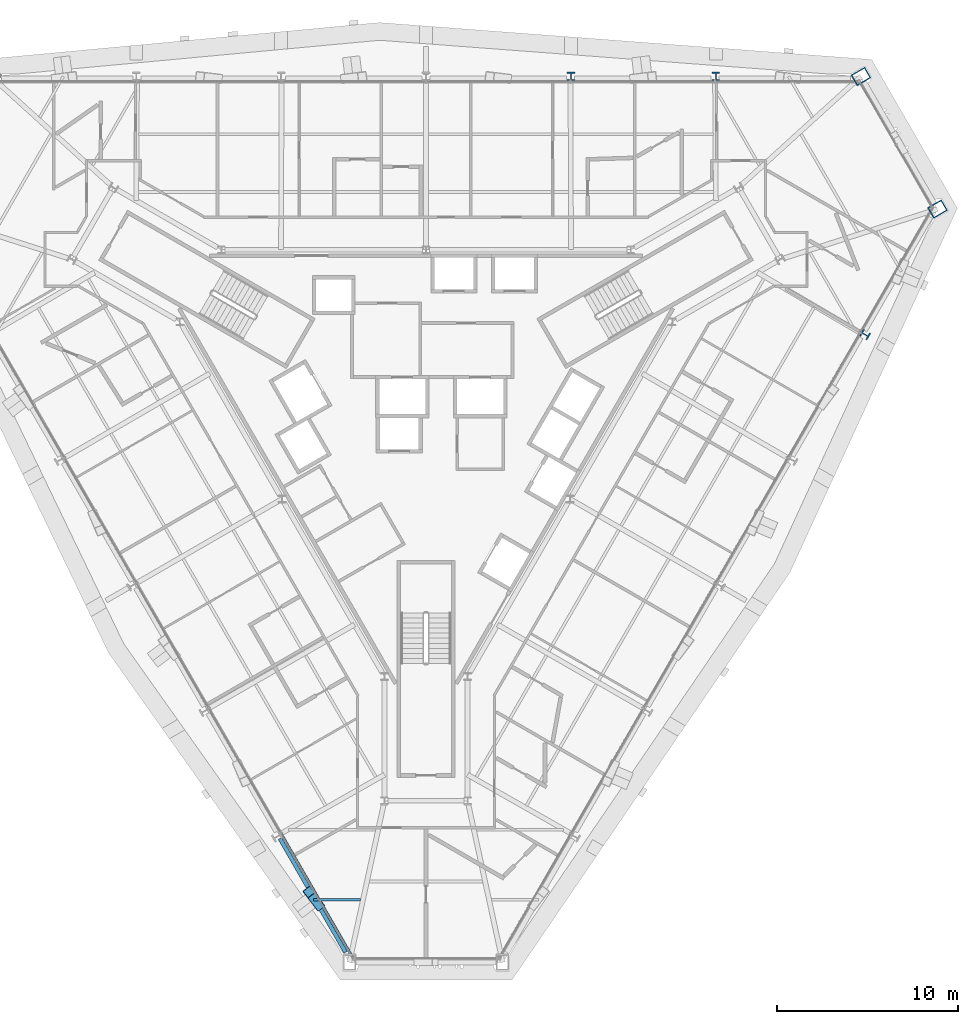
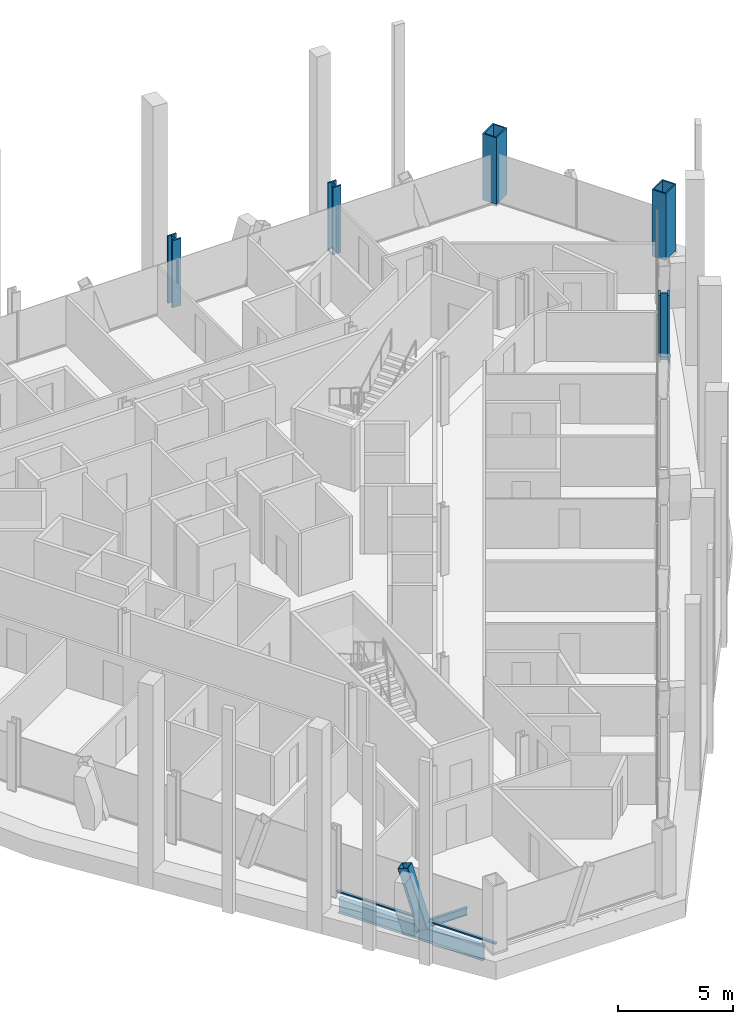
# One storey, part 2 of 16: 5 columns, 2 beams, 2 members, 1 element without a shape of its own.
"""IFC4 building model written with IfcOpenShell, lengths in metres."""

from ifc_helpers import new_model, si_unit, direction, frame, origin, origin_2d, place, context, subcontext, project, spatial, rectangle, hollow_rectangle, i_section, extrude, material, material_profile, profile_set, type_object, element, aggregate, save


model = new_model("IFC4")

# Units and contexts
model_context = context("Model", 3, precision=1e-05, world=origin(), true_north=direction((0.0, 1.0)))
body_context = subcontext(model_context, "Body", "Model", "MODEL_VIEW")
ifc_project = project(units=[si_unit("LENGTHUNIT", "METRE"), si_unit("AREAUNIT", "SQUARE_METRE"), si_unit("VOLUMEUNIT", "CUBIC_METRE"), si_unit("PLANEANGLEUNIT", "RADIAN"), si_unit("MASSUNIT", "GRAM", prefix="KILO")], contexts=[model_context])

# Site, building, storey
site_placement = place(None, origin())
site = spatial("IfcSite", under=ifc_project, at=site_placement, CompositionType="ELEMENT")
building_placement = place(site_placement, origin())
building = spatial("IfcBuilding", under=site, at=building_placement, Name="Verrane Prism Tower", CompositionType="ELEMENT")
storey_placement = place(building_placement, frame((0.0, 0.0, 103.60009765625)))
storey = spatial("IfcBuildingStorey", under=building, at=storey_placement, Name="L24", CompositionType="ELEMENT", Elevation=103.60009765625)

# Columns
ifc_material_1 = material(Name="Steel A572 Grade 50", Category="steel")
ifc_material_profile_1 = material_profile(ifc_material_1, hollow_rectangle(XDim=0.699951171875, YDim=0.89990234375, WallThickness=0.06494140625, at=origin_2d()), Name="BOX 900x700x65")
ifc_profile_set_1 = profile_set([ifc_material_profile_1], Name="Steel A572 Grade 50")
column_type_1 = type_object("IfcColumnType", Name="Megacolumn BOX 900x700x65", PredefinedType="COLUMN", material=ifc_profile_set_1)
for number, where, z_axis, x_axis, name in (
    (1, (24.070068359375, 18.7900390625, 0.074951171875), (0.0, 0.0, 1.0), (0.5, -0.866025403784, 0.0), "Megacolumn MC-NE.b L24"),
    (2, (28.31005859375, 11.449951171875, 0.074951171875), (0.0, 0.0, 1.0), (0.5, -0.866025403784, 0.0), "Megacolumn MC-NE.a L24"),
):
    element("IfcColumn", number, at=place(storey_placement, frame(where, z_axis=z_axis, x_axis=x_axis)), inside=storey, type_object=column_type_1, Name=name, PredefinedType="COLUMN", context=body_context, shape_type="SweptSolid", body=[
        extrude(hollow_rectangle(XDim=0.699951171875, YDim=0.89990234375, WallThickness=0.06494140625, at=origin_2d()), origin(), (0.0, 0.0, 1.0), 3.52490234375),
    ])
ifc_material_2 = material(Name="Steel A992", Category="steel")
ifc_material_profile_2 = material_profile(ifc_material_2, i_section(OverallWidth=0.424072265625, OverallDepth=0.47509765625, WebThickness=0.0478515625, FlangeThickness=0.0771484375, FilletRadius=0.014892578125, at=origin_2d()), Name="W14x426")
ifc_profile_set_2 = profile_set([ifc_material_profile_2], Name="Steel A992")
column_type_2 = type_object("IfcColumnType", Name="Perimeter column W14x426", PredefinedType="COLUMN", material=ifc_profile_set_2)
column_1_placement = place(storey_placement, frame((16.0400390625, 18.7900390625, 0.044921875), z_axis=(0.0, 0.0, 1.0), x_axis=(1.0, 0.0, 0.0)))
element("IfcColumn", 3, at=column_1_placement, inside=storey, type_object=column_type_2, Name="Perimeter column PC-N1 L24", PredefinedType="COLUMN", context=body_context, shape_type="SweptSolid", body=[
    extrude(i_section(OverallWidth=0.424072265625, OverallDepth=0.47509765625, WebThickness=0.0478515625, FlangeThickness=0.0771484375, FilletRadius=0.014892578125, at=origin_2d()), origin(), (0.0, 0.0, 1.0), 3.554931640625),
])
column_2_placement = place(storey_placement, frame((8.02001953125, 18.7900390625, 0.039794921875), z_axis=(0.0, 0.0, 1.0), x_axis=(1.0, 0.0, 0.0)))
element("IfcColumn", 4, at=column_2_placement, inside=storey, type_object=column_type_2, Name="Perimeter column PC-N2 L24", PredefinedType="COLUMN", context=body_context, shape_type="SweptSolid", body=[
    extrude(i_section(OverallWidth=0.424072265625, OverallDepth=0.47509765625, WebThickness=0.0478515625, FlangeThickness=0.0771484375, FilletRadius=0.014892578125, at=origin_2d()), origin(), (0.0, 0.0, 1.0), 3.56005859375),
])
column_3_placement = place(storey_placement, frame((24.300048828125, 4.5, 0.044921875), z_axis=(0.0, 0.0, 1.0), x_axis=(-0.5, -0.866025403784, 0.0)))
element("IfcColumn", 5, at=column_3_placement, inside=storey, type_object=column_type_2, Name="Perimeter column PC-SE5 L24", PredefinedType="COLUMN", context=body_context, shape_type="SweptSolid", body=[
    extrude(i_section(OverallWidth=0.424072265625, OverallDepth=0.47509765625, WebThickness=0.0478515625, FlangeThickness=0.0771484375, FilletRadius=0.014892578125, at=origin_2d()), origin(), (0.0, 0.0, 1.0), 3.554931640625),
])

# Member
ifc_material_3 = material(Name="Steel A1085 Grade A", Category="steel")
ifc_material_profile_3 = material_profile(ifc_material_3, hollow_rectangle(XDim=0.508056640625, YDim=0.508056640625, WallThickness=0.025390625, InnerFilletRadius=0.0126953125, OuterFilletRadius=0.0380859375, at=origin_2d()), Name="HSS20x20x1")
ifc_profile_set_3 = profile_set([ifc_material_profile_3], Name="Steel A1085 Grade A")
member_type_1 = type_object("IfcMemberType", Name="Facade brace HSS20x20x1", PredefinedType="BRACE", material=ifc_profile_set_3)
member_1_placement = place(storey_placement, frame((-5.929443359375, -27.07421875, -0.24267578125), z_axis=(-0.177239256633, 0.231583312543, 0.956533018385), x_axis=(-0.794115968801, -0.60776626107, 0.0)))
element("IfcMember", 6, at=member_1_placement, inside=storey, type_object=member_type_1, Name="Facade brace SW5 L24", PredefinedType="BRACE", context=body_context, shape_type="SweptSolid", body=[
    extrude(hollow_rectangle(XDim=0.508056640625, YDim=0.508056640625, WallThickness=0.025390625, InnerFilletRadius=0.0126953125, OuterFilletRadius=0.0380859375, at=origin_2d()), origin(), (0.0, 0.0, 1.0), 3.144775390625),
])

# Beams
ifc_material_4 = material(Name="Steel A992", Category="steel")
ifc_material_profile_4 = material_profile(ifc_material_4, i_section(OverallWidth=0.140380859375, OverallDepth=0.40380859375, WebThickness=0.007080078125, FlangeThickness=0.01123046875, FilletRadius=0.01025390625, at=origin_2d()), Name="W16x31")
ifc_profile_set_4 = profile_set([ifc_material_profile_4], Name="Steel A992")
beam_type_1 = type_object("IfcBeamType", Name="Floor beam W16x31", PredefinedType="BEAM", material=ifc_profile_set_4)
beam_1_placement = place(storey_placement, frame((-6.23828125, -26.776611328125, -0.362060546875), z_axis=(1.0, 0.0, 0.0), x_axis=(0.0, 1.0, 0.0)))
element("IfcBeam", 7, at=beam_1_placement, inside=storey, type_object=beam_type_1, Name="Floor beam L24", PredefinedType="BEAM", context=body_context, shape_type="SweptSolid", body=[
    extrude(i_section(OverallWidth=0.140380859375, OverallDepth=0.40380859375, WebThickness=0.007080078125, FlangeThickness=0.01123046875, FilletRadius=0.01025390625, at=origin_2d()), origin(), (0.0, 0.0, 1.0), 2.61328125),
])
ifc_material_5 = material(Name="Steel A992", Category="steel")
ifc_material_profile_5 = material_profile(ifc_material_5, i_section(OverallWidth=0.2666015625, OverallDepth=0.7568359375, WebThickness=0.013916015625, FlangeThickness=0.019287109375, FilletRadius=0.0166015625, at=origin_2d()), Name="W30x108")
ifc_profile_set_5 = profile_set([ifc_material_profile_5], Name="Steel A992")
beam_type_2 = type_object("IfcBeamType", Name="Spandrel beam W30x108", PredefinedType="SPANDREL", material=ifc_profile_set_5)
beam_2_placement = place(storey_placement, frame((-8.064208984375, -23.37548828125, -0.53857421875), z_axis=(0.499881387456, -0.866093873939, 0.0), x_axis=(0.866093873939, 0.499881387456, 0.0)))
element("IfcBeam", 8, at=beam_2_placement, inside=storey, type_object=beam_type_2, Name="Spandrel beam L24", PredefinedType="SPANDREL", context=body_context, shape_type="SweptSolid", body=[
    extrude(i_section(OverallWidth=0.2666015625, OverallDepth=0.7568359375, WebThickness=0.013916015625, FlangeThickness=0.019287109375, FilletRadius=0.0166015625, at=origin_2d()), origin(), (0.0, 0.0, 1.0), 7.269287109375),
])

# Curtain wall, member
ifc_material_6 = material(Name="Aluminium framed insulated glazing", Category="aluminium")
curtain_wall_type = type_object("IfcCurtainWallType", Name="Curtain wall CW-A 8400 module", PredefinedType="NOTDEFINED", material=ifc_material_6)
curtain_wall_placement = place(storey_placement, origin())
curtain_wall = element("IfcCurtainWall", 9, at=curtain_wall_placement, inside=storey, type_object=curtain_wall_type, Name="Glazed curtain wall south-west face L24", PredefinedType="NOTDEFINED")
ifc_material_7 = material(Name="Aluminium alloy 6063-T6", Category="aluminium")
ifc_material_profile_6 = material_profile(ifc_material_7, rectangle(XDim=0.14990234375, YDim=0.070068359375, at=origin_2d()), Name="Transom 70x150 aluminium")
ifc_profile_set_6 = profile_set([ifc_material_profile_6], Name="Aluminium alloy 6063-T6")
member_type_2 = type_object("IfcMemberType", Name="Transom 70x150 aluminium", PredefinedType="USERDEFINED", material=ifc_profile_set_6)
member_2_placement = place(storey_placement, frame((-8.015380859375, -23.138916015625, 0.034912109375), z_axis=(0.500003777996, -0.866023222546, 0.0), x_axis=(0.866023222546, 0.500003777996, 0.0)))
member_2 = element("IfcMember", 10, at=member_2_placement, type_object=member_type_2, Name="CW24.4 transom 6", ObjectType="TRANSOM", PredefinedType="USERDEFINED", context=body_context, shape_type="SweptSolid", body=[
    extrude(rectangle(XDim=0.14990234375, YDim=0.070068359375, at=origin_2d()), origin(), (0.0, 0.0, 1.0), 7.962890625),
])
aggregate(curtain_wall, [member_2])

save(model, "model.ifc")
